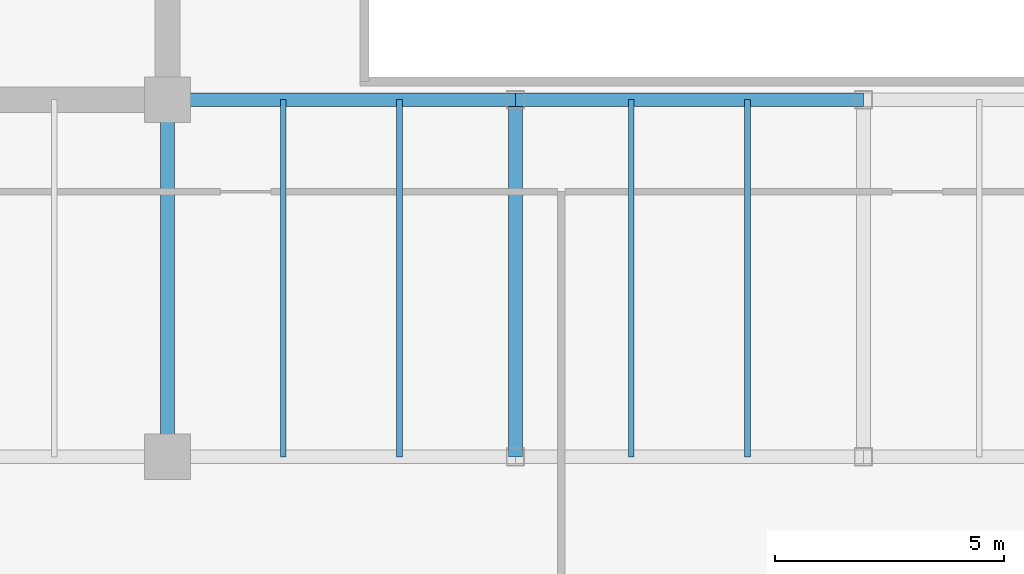
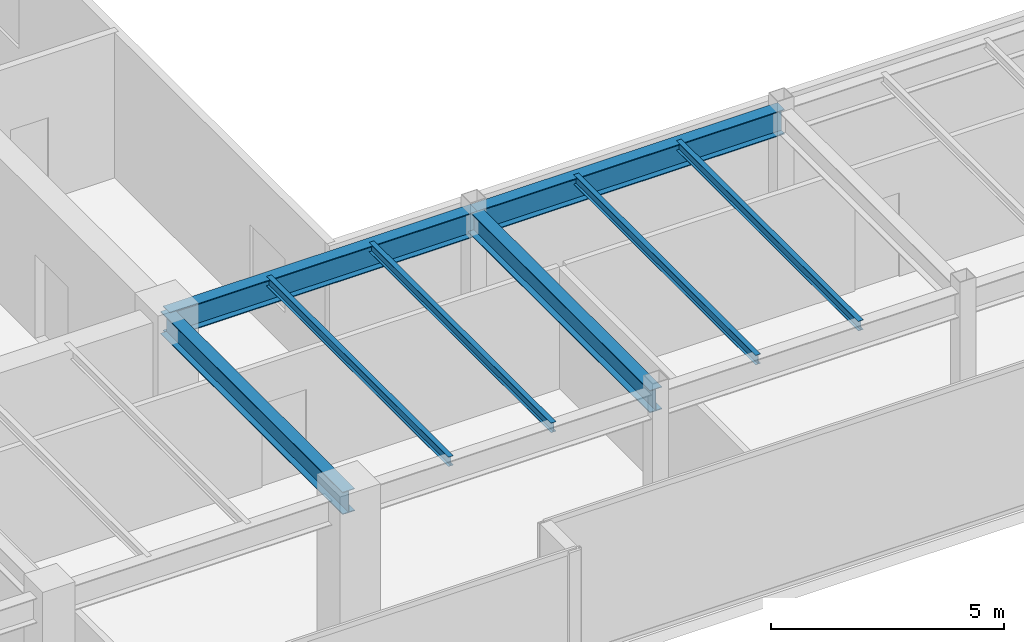
# One storey, part 8 of 33: 8 beams.
"""IFC4 building model written with IfcOpenShell, lengths in metres."""

from ifc_helpers import new_model, si_unit, direction, frame, origin, origin_2d, place, context, subcontext, project, spatial, i_section, extrude, source, transform, mapped, material, material_profile, profile_set, type_object, type_shapes, element, save


model = new_model("IFC4")

# Units and contexts
model_context = context("Model", 3, precision=1e-05, world=origin(), true_north=direction((0.0, 1.0)))
body_context = subcontext(model_context, "Body", "Model", "MODEL_VIEW")
ifc_project = project(units=[si_unit("LENGTHUNIT", "METRE"), si_unit("AREAUNIT", "SQUARE_METRE"), si_unit("VOLUMEUNIT", "CUBIC_METRE"), si_unit("PLANEANGLEUNIT", "RADIAN"), si_unit("MASSUNIT", "GRAM", prefix="KILO")], contexts=[model_context])

# Site, building, storey
site_placement = place(None, origin())
site = spatial("IfcSite", under=ifc_project, at=site_placement, CompositionType="ELEMENT")
building_placement = place(site_placement, origin())
building = spatial("IfcBuilding", under=site, at=building_placement, Name="Haelvirn Gate Laboratories", CompositionType="ELEMENT")
storey_placement = place(building_placement, frame((0.0, 0.0, 250.60009765625)))
storey = spatial("IfcBuildingStorey", under=building, at=storey_placement, Name="L60", CompositionType="ELEMENT", Elevation=250.60009765625)

# Beams
ifc_material = material(Name="Steel SM355", Category="steel")
ifc_material_profile_1 = material_profile(ifc_material, i_section(OverallWidth=0.300048828125, OverallDepth=0.587890625, WebThickness=0.011962890625, FlangeThickness=0.02001953125, at=origin_2d()), Name="H-588x300x12x20")
ifc_profile_set_1 = profile_set([ifc_material_profile_1], Name="Steel SM355")
beam_type_1 = type_object("IfcBeamType", Name="BM-G-588", PredefinedType="BEAM", material=ifc_profile_set_1)
shared_shape_1 = source(origin(), body_context, "Body", "SweptSolid", [
    extrude(i_section(OverallWidth=0.300048828125, OverallDepth=0.587890625, WebThickness=0.011962890625, FlangeThickness=0.02001953125, at=origin_2d()), origin(), (0.0, 0.0, 1.0), 7.800048828125),
])
type_shapes(beam_type_1, [shared_shape_1])
for number, where, z_axis, x_axis, name in (
    (1, (22.199951171875, 7.0, 3.505859375), (0.0, 1.0, 0.0), (-1.0, 0.0, 0.0), "L60 Frame Girder X22.2 (7.0-14.8)"),
    (2, (29.800048828125, 7.0, 3.505859375), (0.0, 1.0, 0.0), (-1.0, 0.0, 0.0), "L60 Frame Girder X29.8 (7.0-14.8)"),
):
    element("IfcBeam", number, at=place(storey_placement, frame(where, z_axis=z_axis, x_axis=x_axis)), inside=storey, type_object=beam_type_1, Name=name, PredefinedType="BEAM", context=body_context, shape_type="MappedRepresentation", body=[
        mapped(shared_shape_1, transform((0.0, 0.0, 0.0), scale=1.0)),
    ])
ifc_material_profile_2 = material_profile(ifc_material, i_section(OverallWidth=0.300048828125, OverallDepth=0.64990234375, WebThickness=0.012939453125, FlangeThickness=0.02197265625, at=origin_2d()), Name="H-650x300x13x22")
ifc_profile_set_2 = profile_set([ifc_material_profile_2], Name="Steel SM355")
beam_type_2 = type_object("IfcBeamType", Name="BM-G-650", PredefinedType="BEAM", material=ifc_profile_set_2)
shared_shape_2 = source(origin(), body_context, "Body", "SweptSolid", [
    extrude(i_section(OverallWidth=0.300048828125, OverallDepth=0.64990234375, WebThickness=0.012939453125, FlangeThickness=0.02197265625, at=origin_2d()), origin(), (0.0, 0.0, 1.0), 7.60009765625),
])
beam_1_placement = place(storey_placement, frame((22.199951171875, 14.800048828125, 3.474853515625), z_axis=(1.0, 0.0, 0.0), x_axis=(0.0, 1.0, 0.0)))
element("IfcBeam", 3, at=beam_1_placement, inside=storey, type_object=beam_type_2, Name="L60 Primary Girder Y14.8 (22.2-29.8)", PredefinedType="BEAM", context=body_context, shape_type="MappedRepresentation", body=[
    mapped(shared_shape_2, transform((0.0, 0.0, 0.0), scale=1.0)),
])
shared_shape_3 = source(origin(), body_context, "Body", "SweptSolid", [
    extrude(i_section(OverallWidth=0.300048828125, OverallDepth=0.64990234375, WebThickness=0.012939453125, FlangeThickness=0.02197265625, at=origin_2d()), origin(), (0.0, 0.0, 1.0), 7.599853515625),
])
type_shapes(beam_type_2, [shared_shape_2, shared_shape_3])
beam_2_placement = place(storey_placement, frame((29.800048828125, 14.800048828125, 3.474853515625), z_axis=(1.0, 0.0, 0.0), x_axis=(0.0, 1.0, 0.0)))
element("IfcBeam", 4, at=beam_2_placement, inside=storey, type_object=beam_type_2, Name="L60 Primary Girder Y14.8 (29.8-37.4)", PredefinedType="BEAM", context=body_context, shape_type="MappedRepresentation", body=[
    mapped(shared_shape_3, transform((0.0, 0.0, 0.0), scale=1.0)),
])
ifc_material_profile_3 = material_profile(ifc_material, i_section(OverallWidth=0.125, OverallDepth=0.25, WebThickness=0.006103515625, FlangeThickness=0.009033203125, at=origin_2d()), Name="H-250x125x6x9")
ifc_profile_set_3 = profile_set([ifc_material_profile_3], Name="Steel SM355")
beam_type_3 = type_object("IfcBeamType", Name="BM-J-250", PredefinedType="JOIST", material=ifc_profile_set_3)
shared_shape_4 = source(origin(), body_context, "Body", "SweptSolid", [
    extrude(i_section(OverallWidth=0.125, OverallDepth=0.25, WebThickness=0.006103515625, FlangeThickness=0.009033203125, at=origin_2d()), origin(), (0.0, 0.0, 1.0), 7.800048828125),
])
type_shapes(beam_type_3, [shared_shape_4])
for number, where, z_axis, x_axis, name in (
    (5, (24.72998046875, 7.0, 3.6748046875), (0.0, 1.0, 0.0), (-1.0, 0.0, 0.0), "L60 Composite Lab Joist South X24.73"),
    (6, (27.27001953125, 7.0, 3.6748046875), (0.0, 1.0, 0.0), (-1.0, 0.0, 0.0), "L60 Composite Lab Joist South X27.27"),
    (7, (32.330078125, 7.0, 3.6748046875), (0.0, 1.0, 0.0), (-1.0, 0.0, 0.0), "L60 Composite Lab Joist South X32.33"),
    (8, (34.8701171875, 7.0, 3.6748046875), (0.0, 1.0, 0.0), (-1.0, 0.0, 0.0), "L60 Composite Lab Joist South X34.87"),
):
    element("IfcBeam", number, at=place(storey_placement, frame(where, z_axis=z_axis, x_axis=x_axis)), inside=storey, type_object=beam_type_3, Name=name, PredefinedType="JOIST", context=body_context, shape_type="MappedRepresentation", body=[
        mapped(shared_shape_4, transform((0.0, 0.0, 0.0), scale=1.0)),
    ])

save(model, "model.ifc")
